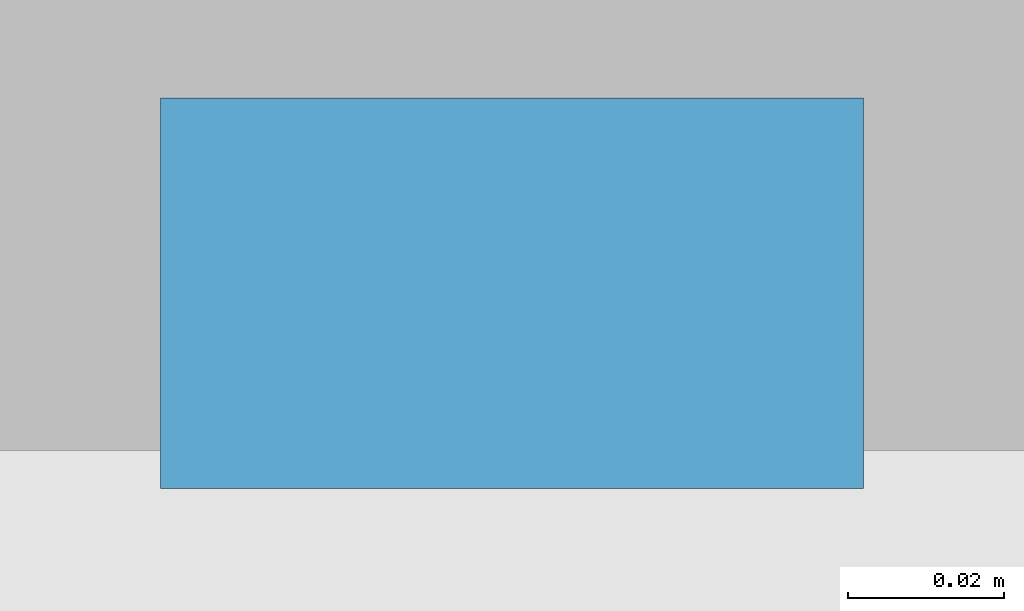
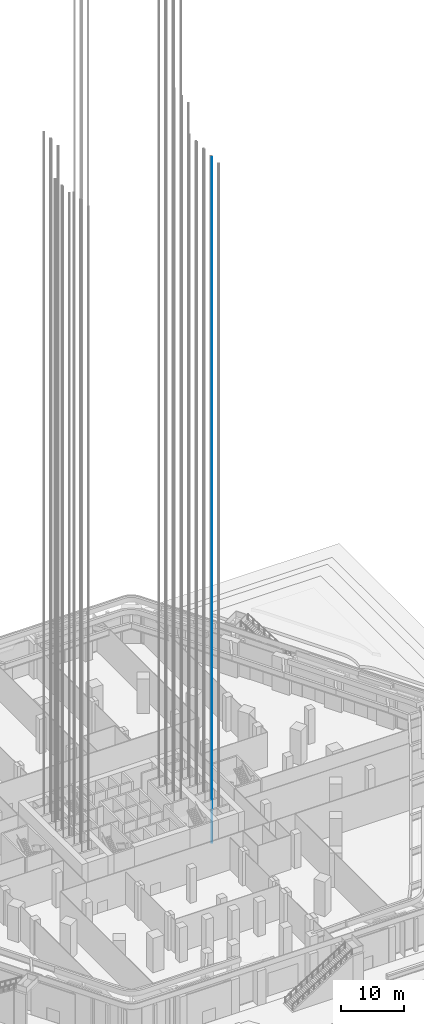
# One storey, part 44 of 68: 1 discrete accessory.
"""IFC4 building model written with IfcOpenShell, lengths in metres."""

from ifc_helpers import new_model, si_unit, direction, frame, origin, origin_2d, place, context, subcontext, project, spatial, rectangle, extrude, element, save


model = new_model("IFC4")

# Units and contexts
model_context = context("Model", 3, precision=1e-05, world=origin(), true_north=direction((0.0, 1.0)))
body_context = subcontext(model_context, "Body", "Model", "MODEL_VIEW")
ifc_project = project(units=[si_unit("LENGTHUNIT", "METRE"), si_unit("AREAUNIT", "SQUARE_METRE"), si_unit("VOLUMEUNIT", "CUBIC_METRE"), si_unit("PLANEANGLEUNIT", "RADIAN"), si_unit("MASSUNIT", "GRAM", prefix="KILO")], contexts=[model_context])

# Site, building, storey
site_placement = place(None, origin())
site = spatial("IfcSite", under=ifc_project, at=site_placement, CompositionType="ELEMENT")
building_placement = place(site_placement, origin())
building = spatial("IfcBuilding", under=site, at=building_placement, Name="Kolab Exchange Tower", CompositionType="ELEMENT")
storey_placement = place(building_placement, origin())
storey = spatial("IfcBuildingStorey", under=building, at=storey_placement, Name="L00", CompositionType="ELEMENT", Elevation=0.0)

# Discrete accessory
discrete_accessory_placement = place(storey_placement, frame((12.0, -4.929931640625, -1.599853515625), z_axis=(0.0, 0.0, 1.0), x_axis=(1.0, 0.0, 0.0)))
element("IfcDiscreteAccessory", 1, at=discrete_accessory_placement, inside=storey, Name="Guide rail LR1-2", ObjectType="GUIDE RAIL", PredefinedType="USERDEFINED", context=body_context, shape_type="SweptSolid", body=[
    extrude(rectangle(XDim=0.090087890625, YDim=0.050048828125, at=origin_2d()), origin(), (0.0, 0.0, 1.0), 133.39990234375),
])

save(model, "model.ifc")
